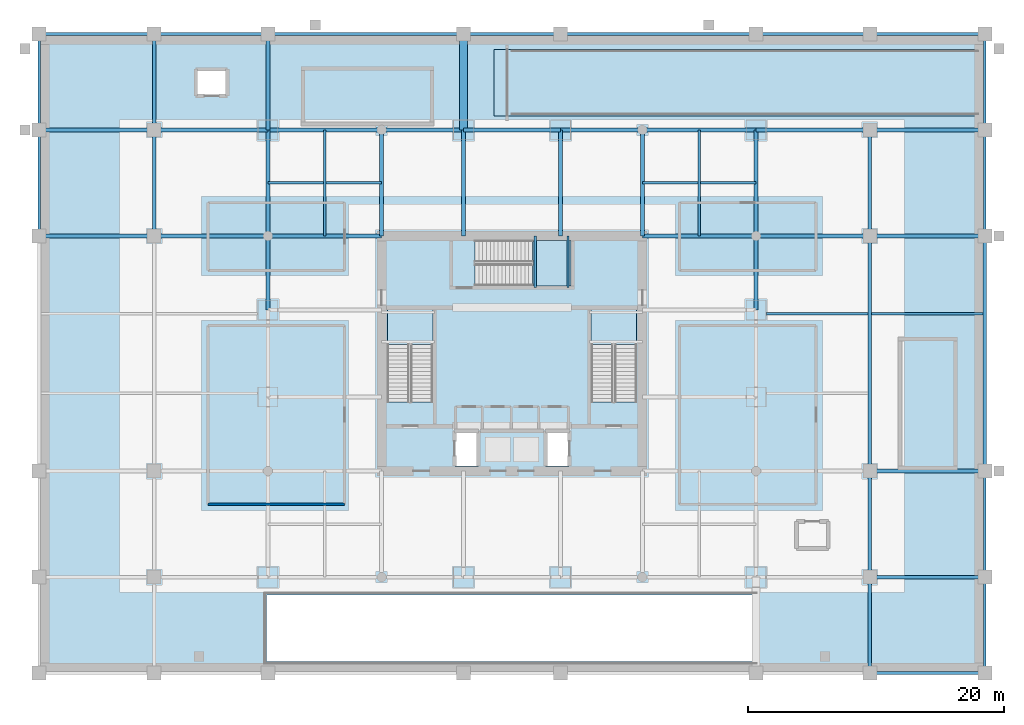
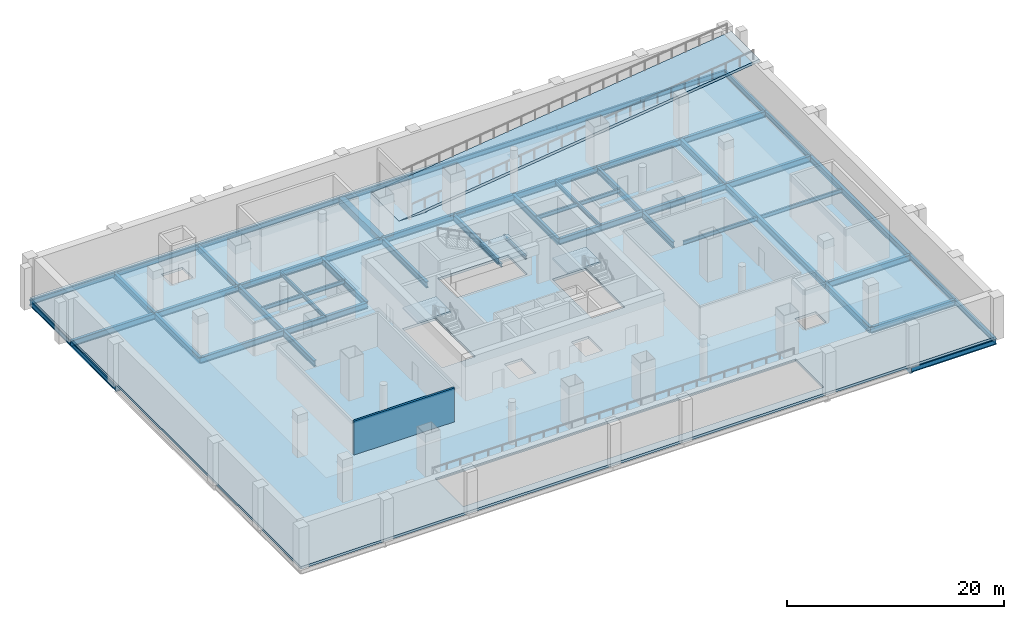
# One storey, part 2 of 12: 52 beams, 5 slabs, 1 wall, 3 elements without a shape of their own.
"""IFC4 building model written with IfcOpenShell, lengths in metres."""

import ifcopenshell
import ifcopenshell.guid

model = None  # the IFC model being written
_history = None  # IfcOwnerHistory: only IFC2X3 demands one
_inside = {}  # id of a spatial element -> (the spatial element, [elements in it])
_under = {}  # id of a project, library or spatial element -> (it, [spatial elements below it])
_declared = {}  # id of a project -> (the project, [libraries it declares])
_typed = {}  # id of a type object -> (the type object, [elements of that type])
_made_of = {}  # id of a material, layer set ... -> (it, [elements and type objects made of it])


def new_model(schema):
    """Start an empty IFC model of exactly this schema.

    Asked for "IFC4X3", IfcOpenShell would pick the latest addendum, in which some entities
    have other attributes; the version numbers below select the first issue.
    IFC2X3 requires an IfcOwnerHistory on every rooted entity: one is made here for all.
    """
    global model, _history
    if schema == "IFC4X3":
        model = ifcopenshell.file(schema_version=(4, 3, 0, 0))
    else:
        model = ifcopenshell.file(schema=schema)
    _inside.clear()
    _under.clear()
    _declared.clear()
    _typed.clear()
    _made_of.clear()
    _history = None
    if model.schema == "IFC2X3":
        org = make("IfcOrganization", Name="unknown")
        user = make(
            "IfcPersonAndOrganization",
            ThePerson=make("IfcPerson", FamilyName="unknown"),
            TheOrganization=org,
        )
        app = make(
            "IfcApplication",
            ApplicationDeveloper=org,
            Version="unknown",
            ApplicationFullName="unknown",
            ApplicationIdentifier="unknown",
        )
        _history = make(
            "IfcOwnerHistory",
            OwningUser=user,
            OwningApplication=app,
            ChangeAction="ADDED",
            CreationDate=0,
        )
    return model


def make(cls, **values):
    """One entity of the class cls with the attributes given. An attribute that is None is left unset."""
    return model.create_entity(
        cls, **{name: value for name, value in values.items() if value is not None}
    )


def rooted(cls, **values):
    """An entity with a GlobalId (a new one), such as an element, a storey or a relation."""
    return make(cls, GlobalId=ifcopenshell.guid.new(), OwnerHistory=_history, **values)


def si_unit(unit_type, name, prefix=None):
    """IfcSIUnit, for example si_unit("LENGTHUNIT", "METRE", prefix="MILLI")."""
    return make("IfcSIUnit", UnitType=unit_type, Prefix=prefix, Name=name)


def assignment(units):
    """IfcUnitAssignment: the units of a project."""
    return None if units is None else make("IfcUnitAssignment", Units=units)


def point(xyz):
    """IfcCartesianPoint."""
    return None if xyz is None else make("IfcCartesianPoint", Coordinates=xyz)


def direction(xyz):
    """IfcDirection."""
    return None if xyz is None else make("IfcDirection", DirectionRatios=xyz)


def frame(location, z_axis=None, x_axis=None):
    """IfcAxis2Placement3D, a coordinate frame: its origin and axes. An axis left out is left unset."""
    return make(
        "IfcAxis2Placement3D",
        Location=point(location),
        Axis=direction(z_axis),
        RefDirection=direction(x_axis),
    )


def frame_2d(location, x_axis=None):
    """IfcAxis2Placement2D, a coordinate frame in the plane: its origin and x axis."""
    return make(
        "IfcAxis2Placement2D", Location=point(location), RefDirection=direction(x_axis)
    )


def origin():
    """The frame at (0, 0, 0) with its axes left unset."""
    return frame((0.0, 0.0, 0.0))


def origin_2d():
    """The frame at (0, 0) in the plane with its x axis left unset."""
    return frame_2d((0.0, 0.0))


def place(relative_to, where):
    """IfcLocalPlacement: puts the frame where relative to a parent placement (None: the world)."""
    return make(
        "IfcLocalPlacement", PlacementRelTo=relative_to, RelativePlacement=where
    )


def context(
    kind, dimensions, precision=None, world=None, true_north=None, identifier=None
):
    """IfcGeometricRepresentationContext, for example the 3D "Model" context."""
    return make(
        "IfcGeometricRepresentationContext",
        ContextIdentifier=identifier,
        ContextType=kind,
        CoordinateSpaceDimension=dimensions,
        Precision=precision,
        WorldCoordinateSystem=world,
        TrueNorth=true_north,
    )


def subcontext(parent, identifier, kind, view, scale=None):
    """IfcGeometricRepresentationSubContext, for example "Body" below "Model"."""
    return make(
        "IfcGeometricRepresentationSubContext",
        ContextIdentifier=identifier,
        ContextType=kind,
        ParentContext=parent,
        TargetScale=scale,
        TargetView=view,
    )


def project(units=None, contexts=None):
    """IfcProject with its units and contexts."""
    return rooted(
        "IfcProject",
        Name="project",
        RepresentationContexts=contexts,
        UnitsInContext=assignment(units),
    )


def spatial(cls, under=None, at=None, **own):
    """A site, building, storey or space (cls), placed at a placement, below another one or the project."""
    s = rooted(cls, ObjectPlacement=at, **own)
    if under is not None:
        _under.setdefault(under.id(), (under, []))[1].append(s)
    return s


def polyline(points):
    """IfcPolyline through the points."""
    return make("IfcPolyline", Points=[point(p) for p in points])


def profile(cls, at=None, kind="AREA", **sizes):
    """A parametric profile (cls). Its sizes go by their IFC names, for example OverallWidth=200.0."""
    return make(cls, ProfileType=kind, Position=at, **sizes)


def rectangle(**sizes):
    """IfcRectangleProfileDef."""
    return profile("IfcRectangleProfileDef", **sizes)


def i_section(**sizes):
    """IfcIShapeProfileDef."""
    return profile("IfcIShapeProfileDef", **sizes)


def outline(outer, holes=None, kind="AREA"):
    """IfcArbitraryClosedProfileDef: a profile drawn as a closed curve; with holes, ...WithVoids."""
    if holes is None:
        return make("IfcArbitraryClosedProfileDef", ProfileType=kind, OuterCurve=outer)
    return make(
        "IfcArbitraryProfileDefWithVoids",
        ProfileType=kind,
        OuterCurve=outer,
        InnerCurves=holes,
    )


def extrude(swept, where, along, depth):
    """IfcExtrudedAreaSolid: the profile swept, set in the frame where, extruded along a direction by depth."""
    return make(
        "IfcExtrudedAreaSolid",
        SweptArea=swept,
        Position=where,
        ExtrudedDirection=direction(along),
        Depth=depth,
    )


def shape(context_of_items, identifier, shape_type, items):
    """IfcShapeRepresentation: the items that make up one representation, for example the "Body"."""
    return make(
        "IfcShapeRepresentation",
        ContextOfItems=context_of_items,
        RepresentationIdentifier=identifier,
        RepresentationType=shape_type,
        Items=items,
    )


def material(Name=None, Category=None):
    """IfcMaterial."""
    return make("IfcMaterial", Name=Name, Category=Category)


def layer(
    of_material, thickness, ventilated=None, Name=None, Category=None, Priority=None
):
    """IfcMaterialLayer: one layer of a wall or slab, of a material (None: an air gap)."""
    return make(
        "IfcMaterialLayer",
        Material=of_material,
        LayerThickness=thickness,
        IsVentilated=ventilated,
        Name=Name,
        Category=Category,
        Priority=Priority,
    )


def layer_set(layers, Name=None):
    """IfcMaterialLayerSet."""
    return make("IfcMaterialLayerSet", MaterialLayers=layers, LayerSetName=Name)


def material_profile(
    of_material, cross_section, Name=None, Category=None, Priority=None
):
    """IfcMaterialProfile: a cross section and its material."""
    return make(
        "IfcMaterialProfile",
        Name=Name,
        Material=of_material,
        Profile=cross_section,
        Priority=Priority,
        Category=Category,
    )


def profile_set(profiles, Name=None, composite=None):
    """IfcMaterialProfileSet."""
    return make(
        "IfcMaterialProfileSet",
        Name=Name,
        MaterialProfiles=profiles,
        CompositeProfile=composite,
    )


def made_of(thing, what):
    """Note that an element or type object is made of a material, layer set ...; save() writes the relation."""
    if what is not None:
        _made_of.setdefault(what.id(), (what, []))[1].append(thing)
    return thing


def type_object(cls, material=None, **own):
    """A type object (cls), such as IfcWallType, which elements share."""
    return made_of(rooted(cls, **own), material)


def element(
    cls,
    number,
    at=None,
    inside=None,
    cuts=None,
    type_object=None,
    material=None,
    context=None,
    identifier="Body",
    shape_type=None,
    held_by="IfcProductDefinitionShape",
    body=None,
    shapes=None,
    **own,
):
    """One element of the class cls, such as IfcWall. Its Tag is "e" and its number.

    at: its placement. inside: the storey or other place that contains it. cuts: it is an
    opening in that element (IfcRelVoidsElement). A single representation is given by context,
    identifier, shape_type and body (its items); several are given by shapes. held_by: the class
    of the entity that holds the representations. save() writes the other relations.
    """
    e = rooted(cls, Tag="e%d" % number, ObjectPlacement=at, **own)
    if body is not None:
        shapes = [shape(context, identifier, shape_type, body)]
    if shapes is not None:
        e.Representation = make(held_by, Representations=shapes)
    if inside is not None:
        _inside.setdefault(inside.id(), (inside, []))[1].append(e)
    if cuts is not None:
        rooted(
            "IfcRelVoidsElement", RelatingBuildingElement=cuts, RelatedOpeningElement=e
        )
    if type_object is not None:
        _typed.setdefault(type_object.id(), (type_object, []))[1].append(e)
    return made_of(e, material)


def aggregate(whole, parts):
    """IfcRelAggregates: a whole, such as a stair, and the parts it consists of."""
    return rooted("IfcRelAggregates", RelatingObject=whole, RelatedObjects=parts)


def save(model, path):
    """Write the relations noted so far, then the file.

    IfcRelAggregates (storeys below a building ...), IfcRelContainedInSpatialStructure (elements
    in a storey), IfcRelDefinesByType, IfcRelAssociatesMaterial and IfcRelDeclares: one each for
    every whole, place, type object, material and project.
    """
    for whole, parts in _under.values():
        aggregate(whole, parts)
    for where, things in _inside.values():
        rooted(
            "IfcRelContainedInSpatialStructure",
            RelatedElements=things,
            RelatingStructure=where,
        )
    for kind, things in _typed.values():
        rooted("IfcRelDefinesByType", RelatedObjects=things, RelatingType=kind)
    for what, things in _made_of.values():
        rooted("IfcRelAssociatesMaterial", RelatedObjects=things, RelatingMaterial=what)
    for by, libraries in _declared.values():
        rooted("IfcRelDeclares", RelatingContext=by, RelatedDefinitions=libraries)
    model.write(path)


model = new_model("IFC4")

# Units and contexts
model_context = context("Model", 3, precision=1e-05, world=origin(), true_north=direction((0.0, 1.0)))
body_context = subcontext(model_context, "Body", "Model", "MODEL_VIEW")
ifc_project = project(units=[si_unit("LENGTHUNIT", "METRE"), si_unit("AREAUNIT", "SQUARE_METRE"), si_unit("VOLUMEUNIT", "CUBIC_METRE"), si_unit("PLANEANGLEUNIT", "RADIAN"), si_unit("MASSUNIT", "GRAM", prefix="KILO")], contexts=[model_context])

# Site, building, storey
site_placement = place(None, origin())
site = spatial("IfcSite", under=ifc_project, at=site_placement, CompositionType="ELEMENT")
building_placement = place(site_placement, origin())
building = spatial("IfcBuilding", under=site, at=building_placement, Name="Punatoya Terracotta Tower", CompositionType="ELEMENT")
storey_placement = place(building_placement, frame((0.0, 0.0, -4.800048828125)))
storey = spatial("IfcBuildingStorey", under=building, at=storey_placement, Name="B1", CompositionType="ELEMENT", Elevation=-4.800048828125)

# Beams
ifc_material_1 = material(Name="Steel S355", Category="steel")
ifc_material_profile_1 = material_profile(ifc_material_1, i_section(OverallWidth=0.300048828125, OverallDepth=0.699951171875, WebThickness=0.01708984375, FlangeThickness=0.031982421875, FilletRadius=0.01806640625, at=origin_2d()))
ifc_profile_set_1 = profile_set([ifc_material_profile_1], Name="Steel S355")
beam_type_1 = type_object("IfcBeamType", Name="BM-PRI-700", PredefinedType="BEAM", material=ifc_profile_set_1)
beam_1_placement = place(storey_placement, frame((-19.10009765625, 17.5, -0.6298828125), z_axis=(1.0, 0.0, 0.0), x_axis=(0.0, 1.0, 0.0)))
element("IfcBeam", 1, at=beam_1_placement, inside=storey, type_object=beam_type_1, Name="BM-B1-RG-N1", PredefinedType="BEAM", context=body_context, shape_type="SweptSolid", body=[
    extrude(i_section(OverallWidth=0.300048828125, OverallDepth=0.699951171875, WebThickness=0.01708984375, FlangeThickness=0.031982421875, FilletRadius=0.01806640625, at=origin_2d()), origin(), (0.0, 0.0, 1.0), 15.300048828125),
])
beam_2_placement = place(storey_placement, frame((-3.800048828125, 17.5, -0.6298828125), z_axis=(1.0, 0.0, 0.0), x_axis=(0.0, 1.0, 0.0)))
element("IfcBeam", 2, at=beam_2_placement, inside=storey, type_object=beam_type_1, Name="BM-B1-RG-N2", PredefinedType="BEAM", context=body_context, shape_type="SweptSolid", body=[
    extrude(i_section(OverallWidth=0.300048828125, OverallDepth=0.699951171875, WebThickness=0.01708984375, FlangeThickness=0.031982421875, FilletRadius=0.01806640625, at=origin_2d()), origin(), (0.0, 0.0, 1.0), 7.60009765625),
])
beam_3_placement = place(storey_placement, frame((3.800048828125, 17.5, -0.6298828125), z_axis=(1.0, 0.0, 0.0), x_axis=(0.0, 1.0, 0.0)))
element("IfcBeam", 3, at=beam_3_placement, inside=storey, type_object=beam_type_1, Name="BM-B1-RG-N3", PredefinedType="BEAM", context=body_context, shape_type="SweptSolid", body=[
    extrude(i_section(OverallWidth=0.300048828125, OverallDepth=0.699951171875, WebThickness=0.01708984375, FlangeThickness=0.031982421875, FilletRadius=0.01806640625, at=origin_2d()), origin(), (0.0, 0.0, 1.0), 15.300048828125),
])
for number, where, z_axis, x_axis, name in (
    (4, (-19.10009765625, 3.39990234375, -0.6298828125), (0.0, 1.0, 0.0), (-1.0, 0.0, 0.0), "BM-B1-RG-W3"),
    (5, (19.10009765625, 3.39990234375, -0.6298828125), (0.0, 1.0, 0.0), (-1.0, 0.0, 0.0), "BM-B1-RG-E3"),
):
    element("IfcBeam", number, at=place(storey_placement, frame(where, z_axis=z_axis, x_axis=x_axis)), inside=storey, type_object=beam_type_1, Name=name, PredefinedType="BEAM", context=body_context, shape_type="SweptSolid", body=[
        extrude(i_section(OverallWidth=0.300048828125, OverallDepth=0.699951171875, WebThickness=0.01708984375, FlangeThickness=0.031982421875, FilletRadius=0.01806640625, at=origin_2d()), origin(), (0.0, 0.0, 1.0), 14.10009765625),
    ])
for number, where, z_axis, x_axis, name in (
    (6, (-19.10009765625, 9.199951171875, -0.6298828125), (1.0, 0.0, 0.0), (0.0, 1.0, 0.0), "BM-B1-PR-WN"),
    (7, (10.199951171875, 9.199951171875, -0.6298828125), (1.0, 0.0, 0.0), (0.0, 1.0, 0.0), "BM-B1-PR-EN"),
):
    element("IfcBeam", number, at=place(storey_placement, frame(where, z_axis=z_axis, x_axis=x_axis)), inside=storey, type_object=beam_type_1, Name=name, PredefinedType="BEAM", context=body_context, shape_type="SweptSolid", body=[
        extrude(i_section(OverallWidth=0.300048828125, OverallDepth=0.699951171875, WebThickness=0.01708984375, FlangeThickness=0.031982421875, FilletRadius=0.01806640625, at=origin_2d()), origin(), (0.0, 0.0, 1.0), 8.900146484375),
    ])
for number, where, z_axis, x_axis, name in (
    (8, (-10.199951171875, 9.199951171875, -0.6298828125), (0.0, 1.0, 0.0), (-1.0, 0.0, 0.0), "BM-B1-PR-N1"),
    (9, (-3.800048828125, 9.199951171875, -0.6298828125), (0.0, 1.0, 0.0), (-1.0, 0.0, 0.0), "BM-B1-PR-N2"),
    (10, (3.800048828125, 9.199951171875, -0.6298828125), (0.0, 1.0, 0.0), (-1.0, 0.0, 0.0), "BM-B1-PR-N3"),
    (11, (10.199951171875, 9.199951171875, -0.6298828125), (0.0, 1.0, 0.0), (-1.0, 0.0, 0.0), "BM-B1-PR-N4"),
):
    element("IfcBeam", number, at=place(storey_placement, frame(where, z_axis=z_axis, x_axis=x_axis)), inside=storey, type_object=beam_type_1, Name=name, PredefinedType="BEAM", context=body_context, shape_type="SweptSolid", body=[
        extrude(i_section(OverallWidth=0.300048828125, OverallDepth=0.699951171875, WebThickness=0.01708984375, FlangeThickness=0.031982421875, FilletRadius=0.01806640625, at=origin_2d()), origin(), (0.0, 0.0, 1.0), 8.300048828125),
    ])
beam_4_placement = place(storey_placement, frame((-37.0, 9.199951171875, -0.6298828125), z_axis=(1.0, 0.0, 0.0), x_axis=(0.0, 1.0, 0.0)))
element("IfcBeam", 12, at=beam_4_placement, inside=storey, type_object=beam_type_1, Name="BM-B1-FW1", PredefinedType="BEAM", context=body_context, shape_type="SweptSolid", body=[
    extrude(i_section(OverallWidth=0.300048828125, OverallDepth=0.699951171875, WebThickness=0.01708984375, FlangeThickness=0.031982421875, FilletRadius=0.01806640625, at=origin_2d()), origin(), (0.0, 0.0, 1.0), 9.0),
])
beam_5_placement = place(storey_placement, frame((-28.0, 9.199951171875, -0.6298828125), z_axis=(1.0, 0.0, 0.0), x_axis=(0.0, 1.0, 0.0)))
element("IfcBeam", 13, at=beam_5_placement, inside=storey, type_object=beam_type_1, Name="BM-B1-FW2", PredefinedType="BEAM", context=body_context, shape_type="SweptSolid", body=[
    extrude(i_section(OverallWidth=0.300048828125, OverallDepth=0.699951171875, WebThickness=0.01708984375, FlangeThickness=0.031982421875, FilletRadius=0.01806640625, at=origin_2d()), origin(), (0.0, 0.0, 1.0), 8.89990234375),
])
beam_6_placement = place(storey_placement, frame((-37.0, 17.5, -0.6298828125), z_axis=(1.0, 0.0, 0.0), x_axis=(0.0, 1.0, 0.0)))
element("IfcBeam", 14, at=beam_6_placement, inside=storey, type_object=beam_type_1, Name="BM-B1-GW1", PredefinedType="BEAM", context=body_context, shape_type="SweptSolid", body=[
    extrude(i_section(OverallWidth=0.300048828125, OverallDepth=0.699951171875, WebThickness=0.01708984375, FlangeThickness=0.031982421875, FilletRadius=0.01806640625, at=origin_2d()), origin(), (0.0, 0.0, 1.0), 9.0),
])
beam_7_placement = place(storey_placement, frame((-28.0, 17.5, -0.6298828125), z_axis=(1.0, 0.0, 0.0), x_axis=(0.0, 1.0, 0.0)))
element("IfcBeam", 15, at=beam_7_placement, inside=storey, type_object=beam_type_1, Name="BM-B1-GW2", PredefinedType="BEAM", context=body_context, shape_type="SweptSolid", body=[
    extrude(i_section(OverallWidth=0.300048828125, OverallDepth=0.699951171875, WebThickness=0.01708984375, FlangeThickness=0.031982421875, FilletRadius=0.01806640625, at=origin_2d()), origin(), (0.0, 0.0, 1.0), 8.89990234375),
])
beam_8_placement = place(storey_placement, frame((-28.0, 9.199951171875, -0.6298828125), z_axis=(0.0, 1.0, 0.0), x_axis=(-1.0, 0.0, 0.0)))
element("IfcBeam", 16, at=beam_8_placement, inside=storey, type_object=beam_type_1, Name="BM-B1-X28W-9", PredefinedType="BEAM", context=body_context, shape_type="SweptSolid", body=[
    extrude(i_section(OverallWidth=0.300048828125, OverallDepth=0.699951171875, WebThickness=0.01708984375, FlangeThickness=0.031982421875, FilletRadius=0.01806640625, at=origin_2d()), origin(), (0.0, 0.0, 1.0), 8.300048828125),
])
for number, where, z_axis, x_axis, name in (
    (17, (-28.0, 17.5, -0.6298828125), (0.0, 1.0, 0.0), (-1.0, 0.0, 0.0), "BM-B1-X28W-17"),
    (18, (-19.10009765625, 17.5, -0.6298828125), (0.0, 1.0, 0.0), (-1.0, 0.0, 0.0), "BM-B1-M19W-17"),
):
    element("IfcBeam", number, at=place(storey_placement, frame(where, z_axis=z_axis, x_axis=x_axis)), inside=storey, type_object=beam_type_1, Name=name, PredefinedType="BEAM", context=body_context, shape_type="SweptSolid", body=[
        extrude(i_section(OverallWidth=0.300048828125, OverallDepth=0.699951171875, WebThickness=0.01708984375, FlangeThickness=0.031982421875, FilletRadius=0.01806640625, at=origin_2d()), origin(), (0.0, 0.0, 1.0), 7.5),
    ])
for number, where, z_axis, x_axis, name in (
    (19, (28.0, -17.5, -0.6298828125), (1.0, 0.0, 0.0), (0.0, 1.0, 0.0), "BM-B1-BE2"),
    (20, (28.0, -9.199951171875, -0.6298828125), (1.0, 0.0, 0.0), (0.0, 1.0, 0.0), "BM-B1-CE2"),
):
    element("IfcBeam", number, at=place(storey_placement, frame(where, z_axis=z_axis, x_axis=x_axis)), inside=storey, type_object=beam_type_1, Name=name, PredefinedType="BEAM", context=body_context, shape_type="SweptSolid", body=[
        extrude(i_section(OverallWidth=0.300048828125, OverallDepth=0.699951171875, WebThickness=0.01708984375, FlangeThickness=0.031982421875, FilletRadius=0.01806640625, at=origin_2d()), origin(), (0.0, 0.0, 1.0), 9.0),
    ])
beam_9_placement = place(storey_placement, frame((19.10009765625, 9.199951171875, -0.6298828125), z_axis=(1.0, 0.0, 0.0), x_axis=(0.0, 1.0, 0.0)))
element("IfcBeam", 21, at=beam_9_placement, inside=storey, type_object=beam_type_1, Name="BM-B1-FE1", PredefinedType="BEAM", context=body_context, shape_type="SweptSolid", body=[
    extrude(i_section(OverallWidth=0.300048828125, OverallDepth=0.699951171875, WebThickness=0.01708984375, FlangeThickness=0.031982421875, FilletRadius=0.01806640625, at=origin_2d()), origin(), (0.0, 0.0, 1.0), 8.89990234375),
])
beam_10_placement = place(storey_placement, frame((28.0, 9.199951171875, -0.6298828125), z_axis=(1.0, 0.0, 0.0), x_axis=(0.0, 1.0, 0.0)))
element("IfcBeam", 22, at=beam_10_placement, inside=storey, type_object=beam_type_1, Name="BM-B1-FE2", PredefinedType="BEAM", context=body_context, shape_type="SweptSolid", body=[
    extrude(i_section(OverallWidth=0.300048828125, OverallDepth=0.699951171875, WebThickness=0.01708984375, FlangeThickness=0.031982421875, FilletRadius=0.01806640625, at=origin_2d()), origin(), (0.0, 0.0, 1.0), 9.0),
])
beam_11_placement = place(storey_placement, frame((19.10009765625, 17.5, -0.6298828125), z_axis=(1.0, 0.0, 0.0), x_axis=(0.0, 1.0, 0.0)))
element("IfcBeam", 23, at=beam_11_placement, inside=storey, type_object=beam_type_1, Name="BM-B1-GE1", PredefinedType="BEAM", context=body_context, shape_type="SweptSolid", body=[
    extrude(i_section(OverallWidth=0.300048828125, OverallDepth=0.699951171875, WebThickness=0.01708984375, FlangeThickness=0.031982421875, FilletRadius=0.01806640625, at=origin_2d()), origin(), (0.0, 0.0, 1.0), 8.89990234375),
])
beam_12_placement = place(storey_placement, frame((28.0, 17.5, -0.6298828125), z_axis=(1.0, 0.0, 0.0), x_axis=(0.0, 1.0, 0.0)))
element("IfcBeam", 24, at=beam_12_placement, inside=storey, type_object=beam_type_1, Name="BM-B1-GE2", PredefinedType="BEAM", context=body_context, shape_type="SweptSolid", body=[
    extrude(i_section(OverallWidth=0.300048828125, OverallDepth=0.699951171875, WebThickness=0.01708984375, FlangeThickness=0.031982421875, FilletRadius=0.01806640625, at=origin_2d()), origin(), (0.0, 0.0, 1.0), 9.0),
])
beam_13_placement = place(storey_placement, frame((28.0, -25.0, -0.6298828125), z_axis=(0.0, 1.0, 0.0), x_axis=(-1.0, 0.0, 0.0)))
element("IfcBeam", 25, at=beam_13_placement, inside=storey, type_object=beam_type_1, Name="BM-B1-X28E--25", PredefinedType="BEAM", context=body_context, shape_type="SweptSolid", body=[
    extrude(i_section(OverallWidth=0.300048828125, OverallDepth=0.699951171875, WebThickness=0.01708984375, FlangeThickness=0.031982421875, FilletRadius=0.01806640625, at=origin_2d()), origin(), (0.0, 0.0, 1.0), 7.5),
])
beam_14_placement = place(storey_placement, frame((28.0, -17.5, -0.6298828125), z_axis=(0.0, 1.0, 0.0), x_axis=(-1.0, 0.0, 0.0)))
element("IfcBeam", 26, at=beam_14_placement, inside=storey, type_object=beam_type_1, Name="BM-B1-X28E--17", PredefinedType="BEAM", context=body_context, shape_type="SweptSolid", body=[
    extrude(i_section(OverallWidth=0.300048828125, OverallDepth=0.699951171875, WebThickness=0.01708984375, FlangeThickness=0.031982421875, FilletRadius=0.01806640625, at=origin_2d()), origin(), (0.0, 0.0, 1.0), 8.300048828125),
])
beam_15_placement = place(storey_placement, frame((28.0, -9.199951171875, -0.6298828125), z_axis=(0.0, 1.0, 0.0), x_axis=(-1.0, 0.0, 0.0)))
element("IfcBeam", 27, at=beam_15_placement, inside=storey, type_object=beam_type_1, Name="BM-B1-X28E--9", PredefinedType="BEAM", context=body_context, shape_type="SweptSolid", body=[
    extrude(i_section(OverallWidth=0.300048828125, OverallDepth=0.699951171875, WebThickness=0.01708984375, FlangeThickness=0.031982421875, FilletRadius=0.01806640625, at=origin_2d()), origin(), (0.0, 0.0, 1.0), 18.39990234375),
])
beam_16_placement = place(storey_placement, frame((28.0, 9.199951171875, -0.6298828125), z_axis=(0.0, 1.0, 0.0), x_axis=(-1.0, 0.0, 0.0)))
element("IfcBeam", 28, at=beam_16_placement, inside=storey, type_object=beam_type_1, Name="BM-B1-X28E-9", PredefinedType="BEAM", context=body_context, shape_type="SweptSolid", body=[
    extrude(i_section(OverallWidth=0.300048828125, OverallDepth=0.699951171875, WebThickness=0.01708984375, FlangeThickness=0.031982421875, FilletRadius=0.01806640625, at=origin_2d()), origin(), (0.0, 0.0, 1.0), 8.300048828125),
])
beam_17_placement = place(storey_placement, frame((37.0, -9.199951171875, -0.6298828125), z_axis=(0.0, 1.0, 0.0), x_axis=(-1.0, 0.0, 0.0)))
element("IfcBeam", 29, at=beam_17_placement, inside=storey, type_object=beam_type_1, Name="BM-B1-X37E--9", PredefinedType="BEAM", context=body_context, shape_type="SweptSolid", body=[
    extrude(i_section(OverallWidth=0.300048828125, OverallDepth=0.699951171875, WebThickness=0.01708984375, FlangeThickness=0.031982421875, FilletRadius=0.01806640625, at=origin_2d()), origin(), (0.0, 0.0, 1.0), 18.39990234375),
])
ifc_material_2 = material(Name="Concrete C45/55", Category="concrete")
ifc_material_profile_2 = material_profile(ifc_material_2, rectangle(XDim=0.60009765625, YDim=0.800048828125, at=origin_2d()))
ifc_profile_set_2 = profile_set([ifc_material_profile_2], Name="Concrete C45/55")
beam_type_2 = type_object("IfcBeamType", Name="BM-RC-GRD", PredefinedType="BEAM", material=ifc_profile_set_2)
beam_18_placement = place(storey_placement, frame((-3.800048828125, 17.5, -0.679931640625), z_axis=(0.0, 1.0, 0.0), x_axis=(-1.0, 0.0, 0.0)))
element("IfcBeam", 30, at=beam_18_placement, inside=storey, type_object=beam_type_2, Name="BM-B1-VR2-TOE", PredefinedType="BEAM", context=body_context, shape_type="SweptSolid", body=[
    extrude(rectangle(XDim=0.60009765625, YDim=0.800048828125, at=origin_2d()), origin(), (0.0, 0.0, 1.0), 7.5),
])
ifc_material_profile_3 = material_profile(ifc_material_1, i_section(OverallWidth=0.169921875, OverallDepth=0.360107421875, WebThickness=0.008056640625, FlangeThickness=0.0126953125, FilletRadius=0.01806640625, at=origin_2d()))
ifc_profile_set_3 = profile_set([ifc_material_profile_3], Name="Steel S355")
beam_type_3 = type_object("IfcBeamType", Name="BM-SEC-360", PredefinedType="JOIST", material=ifc_profile_set_3)
for number, where, z_axis, x_axis, name in (
    (31, (1.820068359375, 5.14990234375, 2.02001953125), (0.0, 1.0, 0.0), (-1.0, 0.0, 0.0), "BM-B1-ST-3-LD1A"),
    (32, (4.3798828125, 5.14990234375, 2.02001953125), (0.0, 1.0, 0.0), (-1.0, 0.0, 0.0), "BM-B1-ST-3-LD1B"),
):
    element("IfcBeam", number, at=place(storey_placement, frame(where, z_axis=z_axis, x_axis=x_axis)), inside=storey, type_object=beam_type_3, Name=name, PredefinedType="JOIST", context=body_context, shape_type="SweptSolid", body=[
        extrude(i_section(OverallWidth=0.169921875, OverallDepth=0.360107421875, WebThickness=0.008056640625, FlangeThickness=0.0126953125, FilletRadius=0.01806640625, at=origin_2d()), origin(), (0.0, 0.0, 1.0), 4.050048828125),
    ])
ifc_material_profile_4 = material_profile(ifc_material_1, i_section(OverallWidth=0.18994140625, OverallDepth=0.449951171875, WebThickness=0.009521484375, FlangeThickness=0.0146484375, FilletRadius=0.01806640625, at=origin_2d()))
ifc_profile_set_4 = profile_set([ifc_material_profile_4], Name="Steel S355")
beam_type_4 = type_object("IfcBeamType", Name="BM-SEC-450", PredefinedType="JOIST", material=ifc_profile_set_4)
for number, where, z_axis, x_axis, name in (
    (33, (-19.10009765625, 13.35009765625, -0.5048828125), (1.0, 0.0, 0.0), (0.0, 1.0, 0.0), "BM-B1-SJN-1"),
    (34, (10.199951171875, 13.35009765625, -0.5048828125), (1.0, 0.0, 0.0), (0.0, 1.0, 0.0), "BM-B1-SJN-2"),
):
    element("IfcBeam", number, at=place(storey_placement, frame(where, z_axis=z_axis, x_axis=x_axis)), inside=storey, type_object=beam_type_4, Name=name, PredefinedType="JOIST", context=body_context, shape_type="SweptSolid", body=[
        extrude(i_section(OverallWidth=0.18994140625, OverallDepth=0.449951171875, WebThickness=0.009521484375, FlangeThickness=0.0146484375, FilletRadius=0.01806640625, at=origin_2d()), origin(), (0.0, 0.0, 1.0), 8.900146484375),
    ])
for number, where, z_axis, x_axis, name in (
    (35, (-14.64990234375, 9.199951171875, -0.5048828125), (0.0, 1.0, 0.0), (-1.0, 0.0, 0.0), "BM-B1-SJW-2"),
    (36, (14.64990234375, 9.199951171875, -0.5048828125), (0.0, 1.0, 0.0), (-1.0, 0.0, 0.0), "BM-B1-SJE-2"),
):
    element("IfcBeam", number, at=place(storey_placement, frame(where, z_axis=z_axis, x_axis=x_axis)), inside=storey, type_object=beam_type_4, Name=name, PredefinedType="JOIST", context=body_context, shape_type="SweptSolid", body=[
        extrude(i_section(OverallWidth=0.18994140625, OverallDepth=0.449951171875, WebThickness=0.009521484375, FlangeThickness=0.0146484375, FilletRadius=0.01806640625, at=origin_2d()), origin(), (0.0, 0.0, 1.0), 8.300048828125),
    ])
beam_19_placement = place(storey_placement, frame((19.89990234375, 3.10009765625, -0.5048828125), z_axis=(1.0, 0.0, 0.0), x_axis=(0.0, 1.0, 0.0)))
element("IfcBeam", 37, at=beam_19_placement, inside=storey, type_object=beam_type_4, Name="BM-B1-WNGJ-E1-31", PredefinedType="JOIST", context=body_context, shape_type="SweptSolid", body=[
    extrude(i_section(OverallWidth=0.18994140625, OverallDepth=0.449951171875, WebThickness=0.009521484375, FlangeThickness=0.0146484375, FilletRadius=0.01806640625, at=origin_2d()), origin(), (0.0, 0.0, 1.0), 7.9501953125),
])
beam_20_placement = place(storey_placement, frame((28.14990234375, 3.10009765625, -0.5048828125), z_axis=(1.0, 0.0, 0.0), x_axis=(0.0, 1.0, 0.0)))
element("IfcBeam", 38, at=beam_20_placement, inside=storey, type_object=beam_type_4, Name="BM-B1-WNGJ-E2-31", PredefinedType="JOIST", context=body_context, shape_type="SweptSolid", body=[
    extrude(i_section(OverallWidth=0.18994140625, OverallDepth=0.449951171875, WebThickness=0.009521484375, FlangeThickness=0.0146484375, FilletRadius=0.01806640625, at=origin_2d()), origin(), (0.0, 0.0, 1.0), 8.7001953125),
])
ifc_material_profile_5 = material_profile(ifc_material_1, i_section(OverallWidth=0.2099609375, OverallDepth=0.550048828125, WebThickness=0.010986328125, FlangeThickness=0.01708984375, FilletRadius=0.01806640625, at=origin_2d()))
ifc_profile_set_5 = profile_set([ifc_material_profile_5], Name="Steel S355")
beam_type_5 = type_object("IfcBeamType", Name="BM-SPN-550", PredefinedType="SPANDREL", material=ifc_profile_set_5)
beam_21_placement = place(storey_placement, frame((-37.0, 25.0, -0.554931640625), z_axis=(1.0, 0.0, 0.0), x_axis=(0.0, 1.0, 0.0)))
element("IfcBeam", 39, at=beam_21_placement, inside=storey, type_object=beam_type_5, Name="BM-B1-HW1", PredefinedType="SPANDREL", context=body_context, shape_type="SweptSolid", body=[
    extrude(i_section(OverallWidth=0.2099609375, OverallDepth=0.550048828125, WebThickness=0.010986328125, FlangeThickness=0.01708984375, FilletRadius=0.01806640625, at=origin_2d()), origin(), (0.0, 0.0, 1.0), 9.0),
])
beam_22_placement = place(storey_placement, frame((-28.0, 25.0, -0.554931640625), z_axis=(1.0, 0.0, 0.0), x_axis=(0.0, 1.0, 0.0)))
element("IfcBeam", 40, at=beam_22_placement, inside=storey, type_object=beam_type_5, Name="BM-B1-HW2", PredefinedType="SPANDREL", context=body_context, shape_type="SweptSolid", body=[
    extrude(i_section(OverallWidth=0.2099609375, OverallDepth=0.550048828125, WebThickness=0.010986328125, FlangeThickness=0.01708984375, FilletRadius=0.01806640625, at=origin_2d()), origin(), (0.0, 0.0, 1.0), 8.89990234375),
])
beam_23_placement = place(storey_placement, frame((-37.0, 9.199951171875, -0.554931640625), z_axis=(0.0, 1.0, 0.0), x_axis=(-1.0, 0.0, 0.0)))
element("IfcBeam", 41, at=beam_23_placement, inside=storey, type_object=beam_type_5, Name="BM-B1-X37W-9", PredefinedType="SPANDREL", context=body_context, shape_type="SweptSolid", body=[
    extrude(i_section(OverallWidth=0.2099609375, OverallDepth=0.550048828125, WebThickness=0.010986328125, FlangeThickness=0.01708984375, FilletRadius=0.01806640625, at=origin_2d()), origin(), (0.0, 0.0, 1.0), 8.300048828125),
])
beam_24_placement = place(storey_placement, frame((-37.0, 17.5, -0.554931640625), z_axis=(0.0, 1.0, 0.0), x_axis=(-1.0, 0.0, 0.0)))
element("IfcBeam", 42, at=beam_24_placement, inside=storey, type_object=beam_type_5, Name="BM-B1-X37W-17", PredefinedType="SPANDREL", context=body_context, shape_type="SweptSolid", body=[
    extrude(i_section(OverallWidth=0.2099609375, OverallDepth=0.550048828125, WebThickness=0.010986328125, FlangeThickness=0.01708984375, FilletRadius=0.01806640625, at=origin_2d()), origin(), (0.0, 0.0, 1.0), 7.5),
])
beam_25_placement = place(storey_placement, frame((28.0, -25.0, -0.554931640625), z_axis=(1.0, 0.0, 0.0), x_axis=(0.0, 1.0, 0.0)))
element("IfcBeam", 43, at=beam_25_placement, inside=storey, type_object=beam_type_5, Name="BM-B1-AE2", PredefinedType="SPANDREL", context=body_context, shape_type="SweptSolid", body=[
    extrude(i_section(OverallWidth=0.2099609375, OverallDepth=0.550048828125, WebThickness=0.010986328125, FlangeThickness=0.01708984375, FilletRadius=0.01806640625, at=origin_2d()), origin(), (0.0, 0.0, 1.0), 9.0),
])
beam_26_placement = place(storey_placement, frame((19.10009765625, 25.0, -0.554931640625), z_axis=(1.0, 0.0, 0.0), x_axis=(0.0, 1.0, 0.0)))
element("IfcBeam", 44, at=beam_26_placement, inside=storey, type_object=beam_type_5, Name="BM-B1-HE1", PredefinedType="SPANDREL", context=body_context, shape_type="SweptSolid", body=[
    extrude(i_section(OverallWidth=0.2099609375, OverallDepth=0.550048828125, WebThickness=0.010986328125, FlangeThickness=0.01708984375, FilletRadius=0.01806640625, at=origin_2d()), origin(), (0.0, 0.0, 1.0), 8.89990234375),
])
beam_27_placement = place(storey_placement, frame((28.0, 25.0, -0.554931640625), z_axis=(1.0, 0.0, 0.0), x_axis=(0.0, 1.0, 0.0)))
element("IfcBeam", 45, at=beam_27_placement, inside=storey, type_object=beam_type_5, Name="BM-B1-HE2", PredefinedType="SPANDREL", context=body_context, shape_type="SweptSolid", body=[
    extrude(i_section(OverallWidth=0.2099609375, OverallDepth=0.550048828125, WebThickness=0.010986328125, FlangeThickness=0.01708984375, FilletRadius=0.01806640625, at=origin_2d()), origin(), (0.0, 0.0, 1.0), 9.0),
])
beam_28_placement = place(storey_placement, frame((37.0, -25.0, -0.554931640625), z_axis=(0.0, 1.0, 0.0), x_axis=(-1.0, 0.0, 0.0)))
element("IfcBeam", 46, at=beam_28_placement, inside=storey, type_object=beam_type_5, Name="BM-B1-X37E--25", PredefinedType="SPANDREL", context=body_context, shape_type="SweptSolid", body=[
    extrude(i_section(OverallWidth=0.2099609375, OverallDepth=0.550048828125, WebThickness=0.010986328125, FlangeThickness=0.01708984375, FilletRadius=0.01806640625, at=origin_2d()), origin(), (0.0, 0.0, 1.0), 7.5),
])
for number, where, z_axis, x_axis, name in (
    (47, (37.0, -17.5, -0.554931640625), (0.0, 1.0, 0.0), (-1.0, 0.0, 0.0), "BM-B1-X37E--17"),
    (48, (37.0, 9.199951171875, -0.554931640625), (0.0, 1.0, 0.0), (-1.0, 0.0, 0.0), "BM-B1-X37E-9"),
):
    element("IfcBeam", number, at=place(storey_placement, frame(where, z_axis=z_axis, x_axis=x_axis)), inside=storey, type_object=beam_type_5, Name=name, PredefinedType="SPANDREL", context=body_context, shape_type="SweptSolid", body=[
        extrude(i_section(OverallWidth=0.2099609375, OverallDepth=0.550048828125, WebThickness=0.010986328125, FlangeThickness=0.01708984375, FilletRadius=0.01806640625, at=origin_2d()), origin(), (0.0, 0.0, 1.0), 8.300048828125),
    ])
beam_29_placement = place(storey_placement, frame((37.0, 17.5, -0.554931640625), z_axis=(0.0, 1.0, 0.0), x_axis=(-1.0, 0.0, 0.0)))
element("IfcBeam", 49, at=beam_29_placement, inside=storey, type_object=beam_type_5, Name="BM-B1-X37E-17", PredefinedType="SPANDREL", context=body_context, shape_type="SweptSolid", body=[
    extrude(i_section(OverallWidth=0.2099609375, OverallDepth=0.550048828125, WebThickness=0.010986328125, FlangeThickness=0.01708984375, FilletRadius=0.01806640625, at=origin_2d()), origin(), (0.0, 0.0, 1.0), 7.5),
])
beam_30_placement = place(storey_placement, frame((-19.10009765625, 25.0, -0.554931640625), z_axis=(1.0, 0.0, 0.0), x_axis=(0.0, 1.0, 0.0)))
element("IfcBeam", 50, at=beam_30_placement, inside=storey, type_object=beam_type_5, Name="BM-B1-MIDH-1", PredefinedType="SPANDREL", context=body_context, shape_type="SweptSolid", body=[
    extrude(i_section(OverallWidth=0.2099609375, OverallDepth=0.550048828125, WebThickness=0.010986328125, FlangeThickness=0.01708984375, FilletRadius=0.01806640625, at=origin_2d()), origin(), (0.0, 0.0, 1.0), 15.300048828125),
])
beam_31_placement = place(storey_placement, frame((-3.800048828125, 25.0, -0.554931640625), z_axis=(1.0, 0.0, 0.0), x_axis=(0.0, 1.0, 0.0)))
element("IfcBeam", 51, at=beam_31_placement, inside=storey, type_object=beam_type_5, Name="BM-B1-MIDH-2", PredefinedType="SPANDREL", context=body_context, shape_type="SweptSolid", body=[
    extrude(i_section(OverallWidth=0.2099609375, OverallDepth=0.550048828125, WebThickness=0.010986328125, FlangeThickness=0.01708984375, FilletRadius=0.01806640625, at=origin_2d()), origin(), (0.0, 0.0, 1.0), 7.60009765625),
])
beam_32_placement = place(storey_placement, frame((3.800048828125, 25.0, -0.554931640625), z_axis=(1.0, 0.0, 0.0), x_axis=(0.0, 1.0, 0.0)))
element("IfcBeam", 52, at=beam_32_placement, inside=storey, type_object=beam_type_5, Name="BM-B1-MIDH-3", PredefinedType="SPANDREL", context=body_context, shape_type="SweptSolid", body=[
    extrude(i_section(OverallWidth=0.2099609375, OverallDepth=0.550048828125, WebThickness=0.010986328125, FlangeThickness=0.01708984375, FilletRadius=0.01806640625, at=origin_2d()), origin(), (0.0, 0.0, 1.0), 15.300048828125),
])

# Stair, slab
ifc_material_3 = material(Name="Concrete C40/50", Category="concrete")
stair_type_1 = type_object("IfcStairType", Name="STR-TER-1450", PredefinedType="HALF_TURN_STAIR", material=ifc_material_3)
stair_1_placement = place(storey_placement, origin())
stair_1 = element("IfcStair", 53, at=stair_1_placement, inside=storey, type_object=stair_type_1, Name="B1 Protected Core Exit Stair ST-3", PredefinedType="HALF_TURN_STAIR")
ifc_layer_1 = layer(ifc_material_3, 0.1650390625)
ifc_layer_set_1 = layer_set([ifc_layer_1], Name="Concrete C40/50")
slab_type_1 = type_object("IfcSlabType", Name="SLB-LND-165", PredefinedType="LANDING", material=ifc_layer_set_1)
slab_1_placement = place(storey_placement, frame((0.0, 0.0, 2.199951171875)))
slab_1 = element("IfcSlab", 54, at=slab_1_placement, type_object=slab_type_1, Name="ST-3 landing 1", PredefinedType="LANDING", context=body_context, shape_type="SweptSolid", body=[
    extrude(outline(polyline([(1.60009765625, 5.300048828125), (4.60009765625, 5.300048828125), (4.60009765625, 8.85009765625), (1.60009765625, 8.85009765625), (1.60009765625, 5.300048828125)])), origin(), (0.0, 0.0, 1.0), 0.2001953125),
])
aggregate(stair_1, [slab_1])

stair_type_2 = type_object("IfcStairType", Name="STR-CORE-1550", PredefinedType="HALF_TURN_STAIR", material=ifc_material_3)
stair_2_placement = place(storey_placement, origin())
stair_2 = element("IfcStair", 55, at=stair_2_placement, inside=storey, type_object=stair_type_2, Name="B1 Protected Core Exit Stair ST-1", PredefinedType="HALF_TURN_STAIR")
ifc_layer_2 = layer(ifc_material_3, 0.179931640625)
ifc_layer_set_2 = layer_set([ifc_layer_2], Name="Concrete C40/50")
slab_type_2 = type_object("IfcSlabType", Name="SLB-LND-180", PredefinedType="LANDING", material=ifc_layer_set_2)
slab_2_placement = place(storey_placement, frame((0.0, 0.0, 2.199951171875)))
slab_2 = element("IfcSlab", 56, at=slab_2_placement, type_object=slab_type_2, Name="ST-1 landing 1", PredefinedType="LANDING", context=body_context, shape_type="SweptSolid", body=[
    extrude(outline(polyline([(-6.199951171875, 0.699951171875), (-6.199951171875, 3.449951171875), (-9.75, 3.449951171875), (-9.75, 0.699951171875), (-6.199951171875, 0.699951171875)])), origin(), (0.0, 0.0, 1.0), 0.2001953125),
])
aggregate(stair_2, [slab_2])

stair_type_3 = type_object("IfcStairType", Name="STR-LOB-1650", PredefinedType="HALF_TURN_STAIR", material=ifc_material_3)
stair_3_placement = place(storey_placement, origin())
stair_3 = element("IfcStair", 57, at=stair_3_placement, inside=storey, type_object=stair_type_3, Name="B1 Protected Core Exit Stair ST-2", PredefinedType="HALF_TURN_STAIR")
slab_3_placement = place(storey_placement, frame((0.0, 0.0, 2.199951171875)))
slab_3 = element("IfcSlab", 58, at=slab_3_placement, type_object=slab_type_2, Name="ST-2 landing 1", PredefinedType="LANDING", context=body_context, shape_type="SweptSolid", body=[
    extrude(outline(polyline([(9.75, 0.699951171875), (9.75, 3.449951171875), (6.199951171875, 3.449951171875), (6.199951171875, 0.699951171875), (9.75, 0.699951171875)])), origin(), (0.0, 0.0, 1.0), 0.2001953125),
])
aggregate(stair_3, [slab_3])

# Slabs
ifc_layer_3 = layer(ifc_material_3, 0.280029296875)
ifc_layer_set_3 = layer_set([ifc_layer_3], Name="Concrete C40/50")
slab_type_3 = type_object("IfcSlabType", Name="SLB-POD-280", PredefinedType="FLOOR", material=ifc_layer_set_3)
slab_4_placement = place(storey_placement, frame((0.0, 0.0, -0.280029296875)))
element("IfcSlab", 59, at=slab_4_placement, inside=storey, type_object=slab_type_3, Name="B1 Structural Floor Slab", PredefinedType="FLOOR", context=body_context, shape_type="SweptSolid", body=[
    extrude(outline(polyline([(-37.0, 25.0), (37.0, 25.0), (37.0, -25.0), (-37.0, -25.0), (-37.0, 25.0)]), holes=[polyline([(-19.199951171875, -18.89990234375), (-19.199951171875, -24.10009765625), (19.199951171875, -24.10009765625), (19.199951171875, -18.89990234375), (-19.199951171875, -18.89990234375)]), polyline([(24.6201171875, -13.22998046875), (22.3798828125, -13.22998046875), (22.3798828125, -15.169921875), (24.6201171875, -15.169921875), (24.6201171875, -13.22998046875)]), polyline([(-2.6298828125, -6.179931640625), (-4.469970703125, -6.179931640625), (-4.469970703125, -8.820068359375), (-2.6298828125, -8.820068359375), (-2.6298828125, -6.179931640625)]), polyline([(4.469970703125, -6.179931640625), (2.6298828125, -6.179931640625), (2.6298828125, -8.820068359375), (4.469970703125, -8.820068359375), (4.469970703125, -6.179931640625)]), polyline([(-9.75, 3.449951171875), (-9.75, -3.79931640625), (-6.199951171875, -3.79931640625), (-6.199951171875, 3.449951171875), (-9.75, 3.449951171875)]), polyline([(6.199951171875, 3.449951171875), (6.199951171875, -3.79931640625), (9.75, -3.79931640625), (9.75, 3.449951171875), (6.199951171875, 3.449951171875)]), polyline([(4.60009765625, 8.85009765625), (-2.899169921875, 8.85009765625), (-2.899169921875, 5.300048828125), (4.60009765625, 5.300048828125), (4.60009765625, 8.85009765625)]), polyline([(-22.3798828125, 20.22998046875), (-22.3798828125, 22.169921875), (-24.6201171875, 22.169921875), (-24.6201171875, 20.22998046875), (-22.3798828125, 20.22998046875)]), polyline([(1.60009765625, 23.800048828125), (-1.399169921875, 23.800048828125), (-1.399169921875, 18.60009765625), (1.60009765625, 18.60009765625), (1.60009765625, 23.800048828125)])]), origin(), (0.0, 0.0, 1.0), 0.280029296875),
])
ifc_layer_4 = layer(ifc_material_3, 0.300048828125)
ifc_layer_set_4 = layer_set([ifc_layer_4], Name="Concrete C40/50")
slab_type_4 = type_object("IfcSlabType", Name="SLB-RMP-300", PredefinedType="FLOOR", material=ifc_layer_set_4)
slab_5_placement = place(storey_placement, frame((-1.39990234375, 18.60009765625, 0.0), z_axis=(-0.124036287512, 0.0, 0.992277682597), x_axis=(0.992277682597, 0.0, 0.124036287512)))
element("IfcSlab", 60, at=slab_5_placement, inside=storey, type_object=slab_type_4, Name="B1-to-L00 Two-Way 1:8 Exit Vehicle Ramp Structural Slab", PredefinedType="FLOOR", context=body_context, shape_type="SweptSolid", body=[
    extrude(outline(polyline([(0.0, 0.0), (38.69873046875, 0.0), (38.69873046875, 5.199951171875), (0.0, 5.199951171875), (0.0, 0.0)])), origin(), (0.0, 0.0, -1.0), 0.300048828125),
])

# Wall
ifc_layer_5 = layer(ifc_material_3, 0.219970703125)
ifc_layer_set_5 = layer_set([ifc_layer_5], Name="Concrete C40/50")
wall_type = type_object("IfcWallType", Name="WL-FIR-220", PredefinedType="SOLIDWALL", material=ifc_layer_set_5)
wall_placement = place(storey_placement, frame((-23.800048828125, -11.800048828125, 0.0), z_axis=(0.0, 0.0, 1.0), x_axis=(1.0, 0.0, 0.0)))
element("IfcWall", 61, at=wall_placement, inside=storey, type_object=wall_type, Name="B1 33/11 kV High-Voltage Electrical Substation Partition 13", PredefinedType="SOLIDWALL", context=body_context, shape_type="SweptSolid", body=[
    extrude(rectangle(XDim=10.699951171875, YDim=0.219970703125, at=frame_2d((5.35009765625, 0.0))), origin(), (0.0, 0.0, 1.0), 3.81396484375),
])

save(model, "model.ifc")
